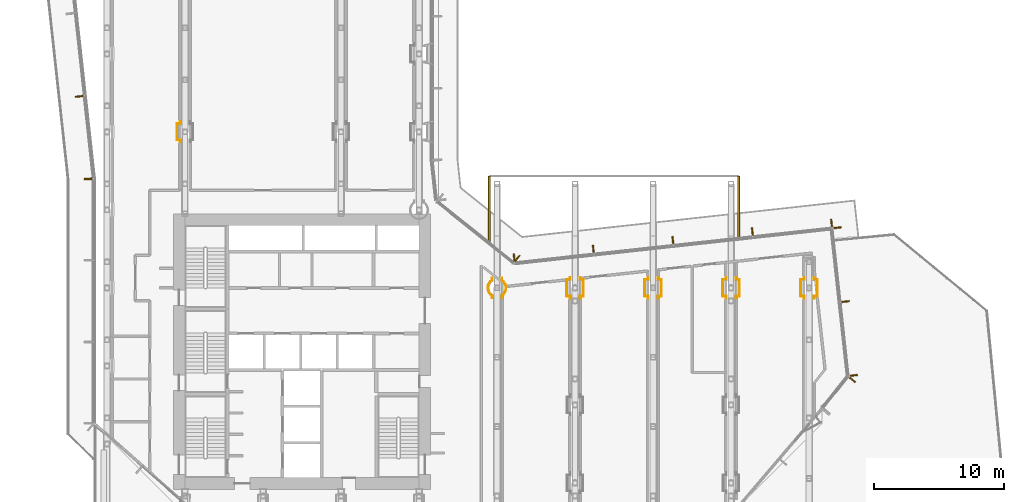
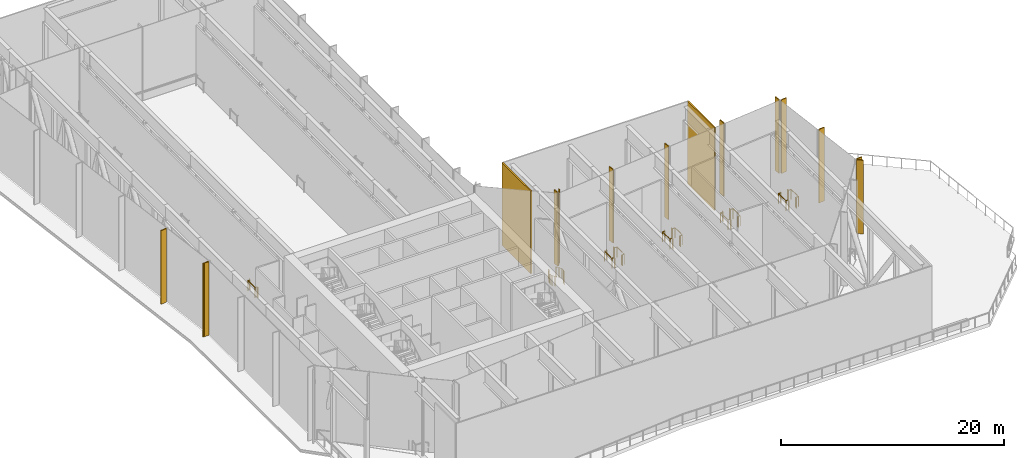
# One storey, part 22 of 25: 15 coverings, 11 railings.
"""IFC4 building model written with IfcOpenShell, lengths in metres."""

from ifc_helpers import new_model, si_unit, direction, frame, origin, origin_2d, place, context, subcontext, project, spatial, polyline, rectangle, circle, outline, extrude, material, layer, layer_set, type_object, element, save


model = new_model("IFC4")

# Units and contexts
model_context = context("Model", 3, precision=1e-05, world=origin(), true_north=direction((0.0, 1.0)))
body_context = subcontext(model_context, "Body", "Model", "MODEL_VIEW")
ifc_project = project(units=[si_unit("LENGTHUNIT", "METRE"), si_unit("AREAUNIT", "SQUARE_METRE"), si_unit("VOLUMEUNIT", "CUBIC_METRE"), si_unit("PLANEANGLEUNIT", "RADIAN"), si_unit("MASSUNIT", "GRAM", prefix="KILO")], contexts=[model_context])

# Site, building, storey
site_placement = place(None, origin())
site = spatial("IfcSite", under=ifc_project, at=site_placement, CompositionType="ELEMENT")
building_placement = place(site_placement, origin())
building = spatial("IfcBuilding", under=site, at=building_placement, Name="Welwitschia Terrace Campus", CompositionType="ELEMENT")
storey_placement = place(building_placement, frame((0.0, 0.0, 79.39990234375)))
storey = spatial("IfcBuildingStorey", under=building, at=storey_placement, Name="L18", CompositionType="ELEMENT", Elevation=79.39990234375)

# Coverings
ifc_material_1 = material(Name="Bronze anodised aluminium", Category="aluminium")
ifc_layer_1 = layer(ifc_material_1, 0.10009765625)
ifc_layer_set_1 = layer_set([ifc_layer_1], Name="Bronze anodised aluminium")
covering_type_1 = type_object("IfcCoveringType", Name="Bronze fin 100x600", PredefinedType="USERDEFINED", material=ifc_layer_set_1)
for number, where, z_axis, x_axis, name in (
    (1, (-2.12548828125, 34.72705078125, 0.0), (0.0, 0.0, 1.0), (0.108866874852, -0.994056338222, 0.0), "Fin L18.3.4"),
    (2, (-1.430908203125, 28.384521484375, 0.0), (0.0, 0.0, 1.0), (0.108866874852, -0.994056338222, 0.0), "Fin L18.3.5"),
    (3, (-1.429931640625, 28.365966796875, 0.0), (0.0, 0.0, 1.0), (0.0, -1.0, 0.0), "Fin L18.4.0"),
    (4, (57.327392578125, 12.936767578125, 0.0), (0.0, 0.0, 1.0), (0.625923472184, 0.779884483093, 0.0), "Fin L18.10.1"),
    (5, (57.42431640625, 13.269287109375, 0.0), (0.0, 0.0, 1.0), (-0.108866874852, 0.994056338222, 0.0), "Fin L18.11.0"),
    (6, (56.802490234375, 18.94775390625, 0.0), (0.0, 0.0, 1.0), (-0.108866874852, 0.994056338222, 0.0), "Fin L18.11.1"),
    (7, (56.1806640625, 24.626220703125, 0.0), (0.0, 0.0, 1.0), (-0.108866874852, 0.994056338222, 0.0), "Fin L18.11.2"),
    (8, (55.728515625, 24.989013671875, 0.0), (0.0, 0.0, 1.0), (-0.994056338222, -0.108866874852, 0.0), "Fin L18.12.0"),
    (9, (49.64111328125, 24.322509765625, 0.0), (0.0, 0.0, 1.0), (-0.994056338222, -0.108866874852, 0.0), "Fin L18.12.1"),
    (10, (43.523681640625, 23.652587890625, 0.0), (0.0, 0.0, 1.0), (-0.994056338222, -0.108866874852, 0.0), "Fin L18.12.2"),
    (11, (37.406494140625, 22.982421875, 0.0), (0.0, 0.0, 1.0), (-0.994056338222, -0.108866874852, 0.0), "Fin L18.12.3"),
    (12, (31.319091796875, 22.31591796875, 0.0), (0.0, 0.0, 1.0), (-0.994056338222, -0.108866874852, 0.0), "Fin L18.12.4"),
    (13, (31.545166015625, 22.25, 0.0), (0.0, 0.0, 1.0), (-0.779884483093, 0.625923472184, 0.0), "Fin L18.13.0"),
):
    element("IfcCovering", number, at=place(storey_placement, frame(where, z_axis=z_axis, x_axis=x_axis)), inside=storey, type_object=covering_type_1, Name=name, ObjectType="FIN", PredefinedType="USERDEFINED", context=body_context, shape_type="SweptSolid", body=[
        extrude(rectangle(XDim=0.10009765625, YDim=0.60009765625, at=origin_2d()), origin(), (0.0, 0.0, 1.0), 8.050048828125),
    ])

# Railings
ifc_material_2 = material(Name="Stainless steel grade 316", Category="steel")
railing_type = type_object("IfcRailingType", Name="Guard 1100", PredefinedType="GUARDRAIL", material=ifc_material_2)
railing_1_placement = place(storey_placement, frame((53.6201171875, 20.804931640625, 0.0)))
element("IfcRailing", 14, at=railing_1_placement, inside=storey, type_object=railing_type, Name="Guard floor edge L18.1", PredefinedType="GUARDRAIL", context=body_context, shape_type="SweptSolid", body=[
    extrude(circle(Radius=0.02392578125, at=origin_2d()), frame((0.0, 0.0, 1.076171875), z_axis=(0.0, -1.0, 0.0), x_axis=(1.0, 0.0, 0.0)), (0.0, 0.0, 1.0), 0.159912109375),
    extrude(circle(Radius=0.02392578125, at=origin_2d()), frame((0.0, -0.159912109375, 1.076171875), z_axis=(-1.0, 0.0, 0.0), x_axis=(0.0, -1.0, 0.0)), (0.0, 0.0, 1.0), 0.26513671875),
    extrude(circle(Radius=0.02392578125, at=origin_2d()), frame((-0.26513671875, -0.159912109375, 1.076171875), z_axis=(0.0, -1.0, 0.0), x_axis=(1.0, 0.0, 0.0)), (0.0, 0.0, 1.0), 1.2900390625),
    extrude(circle(Radius=0.02392578125, at=origin_2d()), frame((-0.26513671875, -1.449951171875, 1.076171875), z_axis=(1.0, 0.0, 0.0), x_axis=(0.0, 1.0, 0.0)), (0.0, 0.0, 1.0), 0.26513671875),
    extrude(circle(Radius=0.02392578125, at=origin_2d()), frame((0.0, -1.449951171875, 1.076171875), z_axis=(0.0, -1.0, 0.0), x_axis=(1.0, 0.0, 0.0)), (0.0, 0.0, 1.0), 0.159912109375),
    extrude(circle(Radius=0.02099609375, at=origin_2d()), origin(), (0.0, 0.0, 1.0), 1.052001953125),
    extrude(circle(Radius=0.02099609375, at=origin_2d()), frame((0.0, -0.159912109375, 0.0)), (0.0, 0.0, 1.0), 1.052001953125),
    extrude(circle(Radius=0.02099609375, at=origin_2d()), frame((-0.26513671875, -0.159912109375, 0.0)), (0.0, 0.0, 1.0), 1.052001953125),
    extrude(circle(Radius=0.02099609375, at=origin_2d()), frame((-0.26513671875, -1.449951171875, 0.0)), (0.0, 0.0, 1.0), 1.052001953125),
    extrude(circle(Radius=0.02099609375, at=origin_2d()), frame((0.0, -1.449951171875, 0.0)), (0.0, 0.0, 1.0), 1.052001953125),
    extrude(circle(Radius=0.02099609375, at=origin_2d()), frame((0.0, -1.60986328125, 0.0)), (0.0, 0.0, 1.0), 1.052001953125),
])
for number, where, name in (
    (15, (54.3798828125, 19.195068359375, 0.0), "Guard floor edge L18.2"),
    (16, (48.3798828125, 19.195068359375, 0.0), "Guard floor edge L18.3"),
):
    element("IfcRailing", number, at=place(storey_placement, frame(where)), inside=storey, type_object=railing_type, Name=name, PredefinedType="GUARDRAIL", context=body_context, shape_type="SweptSolid", body=[
        extrude(circle(Radius=0.02392578125, at=origin_2d()), frame((0.0, 0.0, 1.076171875), z_axis=(0.0, 1.0, 0.0), x_axis=(-1.0, 0.0, 0.0)), (0.0, 0.0, 1.0), 0.159912109375),
        extrude(circle(Radius=0.02392578125, at=origin_2d()), frame((0.0, 0.159912109375, 1.076171875), z_axis=(1.0, 0.0, 0.0), x_axis=(0.0, 1.0, 0.0)), (0.0, 0.0, 1.0), 0.26513671875),
        extrude(circle(Radius=0.02392578125, at=origin_2d()), frame((0.26513671875, 0.159912109375, 1.076171875), z_axis=(0.0, 1.0, 0.0), x_axis=(-1.0, 0.0, 0.0)), (0.0, 0.0, 1.0), 1.2900390625),
        extrude(circle(Radius=0.02392578125, at=origin_2d()), frame((0.26513671875, 1.449951171875, 1.076171875), z_axis=(-1.0, 0.0, 0.0), x_axis=(0.0, -1.0, 0.0)), (0.0, 0.0, 1.0), 0.26513671875),
        extrude(circle(Radius=0.02392578125, at=origin_2d()), frame((0.0, 1.449951171875, 1.076171875), z_axis=(0.0, 1.0, 0.0), x_axis=(-1.0, 0.0, 0.0)), (0.0, 0.0, 1.0), 0.159912109375),
        extrude(circle(Radius=0.02099609375, at=origin_2d()), origin(), (0.0, 0.0, 1.0), 1.052001953125),
        extrude(circle(Radius=0.02099609375, at=origin_2d()), frame((0.0, 0.159912109375, 0.0)), (0.0, 0.0, 1.0), 1.052001953125),
        extrude(circle(Radius=0.02099609375, at=origin_2d()), frame((0.26513671875, 0.159912109375, 0.0)), (0.0, 0.0, 1.0), 1.052001953125),
        extrude(circle(Radius=0.02099609375, at=origin_2d()), frame((0.26513671875, 1.449951171875, 0.0)), (0.0, 0.0, 1.0), 1.052001953125),
        extrude(circle(Radius=0.02099609375, at=origin_2d()), frame((0.0, 1.449951171875, 0.0)), (0.0, 0.0, 1.0), 1.052001953125),
        extrude(circle(Radius=0.02099609375, at=origin_2d()), frame((0.0, 1.60986328125, 0.0)), (0.0, 0.0, 1.0), 1.052001953125),
    ])
railing_2_placement = place(storey_placement, frame((47.6201171875, 20.804931640625, 0.0)))
element("IfcRailing", 17, at=railing_2_placement, inside=storey, type_object=railing_type, Name="Guard floor edge L18.6", PredefinedType="GUARDRAIL", context=body_context, shape_type="SweptSolid", body=[
    extrude(circle(Radius=0.02392578125, at=origin_2d()), frame((0.0, 0.0, 1.076171875), z_axis=(0.0, -1.0, 0.0), x_axis=(1.0, 0.0, 0.0)), (0.0, 0.0, 1.0), 0.159912109375),
    extrude(circle(Radius=0.02392578125, at=origin_2d()), frame((0.0, -0.159912109375, 1.076171875), z_axis=(-1.0, 0.0, 0.0), x_axis=(0.0, -1.0, 0.0)), (0.0, 0.0, 1.0), 0.26513671875),
    extrude(circle(Radius=0.02392578125, at=origin_2d()), frame((-0.26513671875, -0.159912109375, 1.076171875), z_axis=(0.0, -1.0, 0.0), x_axis=(1.0, 0.0, 0.0)), (0.0, 0.0, 1.0), 1.2900390625),
    extrude(circle(Radius=0.02392578125, at=origin_2d()), frame((-0.26513671875, -1.449951171875, 1.076171875), z_axis=(1.0, 0.0, 0.0), x_axis=(0.0, 1.0, 0.0)), (0.0, 0.0, 1.0), 0.26513671875),
    extrude(circle(Radius=0.02392578125, at=origin_2d()), frame((0.0, -1.449951171875, 1.076171875), z_axis=(0.0, -1.0, 0.0), x_axis=(1.0, 0.0, 0.0)), (0.0, 0.0, 1.0), 0.159912109375),
    extrude(circle(Radius=0.02099609375, at=origin_2d()), origin(), (0.0, 0.0, 1.0), 1.052001953125),
    extrude(circle(Radius=0.02099609375, at=origin_2d()), frame((0.0, -0.159912109375, 0.0)), (0.0, 0.0, 1.0), 1.052001953125),
    extrude(circle(Radius=0.02099609375, at=origin_2d()), frame((-0.26513671875, -0.159912109375, 0.0)), (0.0, 0.0, 1.0), 1.052001953125),
    extrude(circle(Radius=0.02099609375, at=origin_2d()), frame((-0.26513671875, -1.449951171875, 0.0)), (0.0, 0.0, 1.0), 1.052001953125),
    extrude(circle(Radius=0.02099609375, at=origin_2d()), frame((0.0, -1.449951171875, 0.0)), (0.0, 0.0, 1.0), 1.052001953125),
    extrude(circle(Radius=0.02099609375, at=origin_2d()), frame((0.0, -1.60986328125, 0.0)), (0.0, 0.0, 1.0), 1.052001953125),
])
railing_3_placement = place(storey_placement, frame((42.3798828125, 19.195068359375, 0.0)))
element("IfcRailing", 18, at=railing_3_placement, inside=storey, type_object=railing_type, Name="Guard floor edge L18.9", PredefinedType="GUARDRAIL", context=body_context, shape_type="SweptSolid", body=[
    extrude(circle(Radius=0.02392578125, at=origin_2d()), frame((0.0, 0.0, 1.076171875), z_axis=(0.0, 1.0, 0.0), x_axis=(-1.0, 0.0, 0.0)), (0.0, 0.0, 1.0), 0.159912109375),
    extrude(circle(Radius=0.02392578125, at=origin_2d()), frame((0.0, 0.159912109375, 1.076171875), z_axis=(1.0, 0.0, 0.0), x_axis=(0.0, 1.0, 0.0)), (0.0, 0.0, 1.0), 0.26513671875),
    extrude(circle(Radius=0.02392578125, at=origin_2d()), frame((0.26513671875, 0.159912109375, 1.076171875), z_axis=(0.0, 1.0, 0.0), x_axis=(-1.0, 0.0, 0.0)), (0.0, 0.0, 1.0), 1.2900390625),
    extrude(circle(Radius=0.02392578125, at=origin_2d()), frame((0.26513671875, 1.449951171875, 1.076171875), z_axis=(-1.0, 0.0, 0.0), x_axis=(0.0, -1.0, 0.0)), (0.0, 0.0, 1.0), 0.26513671875),
    extrude(circle(Radius=0.02392578125, at=origin_2d()), frame((0.0, 1.449951171875, 1.076171875), z_axis=(0.0, 1.0, 0.0), x_axis=(-1.0, 0.0, 0.0)), (0.0, 0.0, 1.0), 0.159912109375),
    extrude(circle(Radius=0.02099609375, at=origin_2d()), origin(), (0.0, 0.0, 1.0), 1.052001953125),
    extrude(circle(Radius=0.02099609375, at=origin_2d()), frame((0.0, 0.159912109375, 0.0)), (0.0, 0.0, 1.0), 1.052001953125),
    extrude(circle(Radius=0.02099609375, at=origin_2d()), frame((0.26513671875, 0.159912109375, 0.0)), (0.0, 0.0, 1.0), 1.052001953125),
    extrude(circle(Radius=0.02099609375, at=origin_2d()), frame((0.26513671875, 1.449951171875, 0.0)), (0.0, 0.0, 1.0), 1.052001953125),
    extrude(circle(Radius=0.02099609375, at=origin_2d()), frame((0.0, 1.449951171875, 0.0)), (0.0, 0.0, 1.0), 1.052001953125),
    extrude(circle(Radius=0.02099609375, at=origin_2d()), frame((0.0, 1.60986328125, 0.0)), (0.0, 0.0, 1.0), 1.052001953125),
])
railing_4_placement = place(storey_placement, frame((41.6201171875, 20.804931640625, 0.0)))
element("IfcRailing", 19, at=railing_4_placement, inside=storey, type_object=railing_type, Name="Guard floor edge L18.10", PredefinedType="GUARDRAIL", context=body_context, shape_type="SweptSolid", body=[
    extrude(circle(Radius=0.02392578125, at=origin_2d()), frame((0.0, 0.0, 1.076171875), z_axis=(0.0, -1.0, 0.0), x_axis=(1.0, 0.0, 0.0)), (0.0, 0.0, 1.0), 0.159912109375),
    extrude(circle(Radius=0.02392578125, at=origin_2d()), frame((0.0, -0.159912109375, 1.076171875), z_axis=(-1.0, 0.0, 0.0), x_axis=(0.0, -1.0, 0.0)), (0.0, 0.0, 1.0), 0.26513671875),
    extrude(circle(Radius=0.02392578125, at=origin_2d()), frame((-0.26513671875, -0.159912109375, 1.076171875), z_axis=(0.0, -1.0, 0.0), x_axis=(1.0, 0.0, 0.0)), (0.0, 0.0, 1.0), 1.2900390625),
    extrude(circle(Radius=0.02392578125, at=origin_2d()), frame((-0.26513671875, -1.449951171875, 1.076171875), z_axis=(1.0, 0.0, 0.0), x_axis=(0.0, 1.0, 0.0)), (0.0, 0.0, 1.0), 0.26513671875),
    extrude(circle(Radius=0.02392578125, at=origin_2d()), frame((0.0, -1.449951171875, 1.076171875), z_axis=(0.0, -1.0, 0.0), x_axis=(1.0, 0.0, 0.0)), (0.0, 0.0, 1.0), 0.159912109375),
    extrude(circle(Radius=0.02099609375, at=origin_2d()), origin(), (0.0, 0.0, 1.0), 1.052001953125),
    extrude(circle(Radius=0.02099609375, at=origin_2d()), frame((0.0, -0.159912109375, 0.0)), (0.0, 0.0, 1.0), 1.052001953125),
    extrude(circle(Radius=0.02099609375, at=origin_2d()), frame((-0.26513671875, -0.159912109375, 0.0)), (0.0, 0.0, 1.0), 1.052001953125),
    extrude(circle(Radius=0.02099609375, at=origin_2d()), frame((-0.26513671875, -1.449951171875, 0.0)), (0.0, 0.0, 1.0), 1.052001953125),
    extrude(circle(Radius=0.02099609375, at=origin_2d()), frame((0.0, -1.449951171875, 0.0)), (0.0, 0.0, 1.0), 1.052001953125),
    extrude(circle(Radius=0.02099609375, at=origin_2d()), frame((0.0, -1.60986328125, 0.0)), (0.0, 0.0, 1.0), 1.052001953125),
])
railing_5_placement = place(storey_placement, frame((36.3798828125, 19.195068359375, 0.0)))
element("IfcRailing", 20, at=railing_5_placement, inside=storey, type_object=railing_type, Name="Guard floor edge L18.11", PredefinedType="GUARDRAIL", context=body_context, shape_type="SweptSolid", body=[
    extrude(circle(Radius=0.02392578125, at=origin_2d()), frame((0.0, 0.0, 1.076171875), z_axis=(0.0, 1.0, 0.0), x_axis=(-1.0, 0.0, 0.0)), (0.0, 0.0, 1.0), 0.159912109375),
    extrude(circle(Radius=0.02392578125, at=origin_2d()), frame((0.0, 0.159912109375, 1.076171875), z_axis=(1.0, 0.0, 0.0), x_axis=(0.0, 1.0, 0.0)), (0.0, 0.0, 1.0), 0.26513671875),
    extrude(circle(Radius=0.02392578125, at=origin_2d()), frame((0.26513671875, 0.159912109375, 1.076171875), z_axis=(0.0, 1.0, 0.0), x_axis=(-1.0, 0.0, 0.0)), (0.0, 0.0, 1.0), 1.2900390625),
    extrude(circle(Radius=0.02392578125, at=origin_2d()), frame((0.26513671875, 1.449951171875, 1.076171875), z_axis=(-1.0, 0.0, 0.0), x_axis=(0.0, -1.0, 0.0)), (0.0, 0.0, 1.0), 0.26513671875),
    extrude(circle(Radius=0.02392578125, at=origin_2d()), frame((0.0, 1.449951171875, 1.076171875), z_axis=(0.0, 1.0, 0.0), x_axis=(-1.0, 0.0, 0.0)), (0.0, 0.0, 1.0), 0.159912109375),
    extrude(circle(Radius=0.02099609375, at=origin_2d()), origin(), (0.0, 0.0, 1.0), 1.052001953125),
    extrude(circle(Radius=0.02099609375, at=origin_2d()), frame((0.0, 0.159912109375, 0.0)), (0.0, 0.0, 1.0), 1.052001953125),
    extrude(circle(Radius=0.02099609375, at=origin_2d()), frame((0.26513671875, 0.159912109375, 0.0)), (0.0, 0.0, 1.0), 1.052001953125),
    extrude(circle(Radius=0.02099609375, at=origin_2d()), frame((0.26513671875, 1.449951171875, 0.0)), (0.0, 0.0, 1.0), 1.052001953125),
    extrude(circle(Radius=0.02099609375, at=origin_2d()), frame((0.0, 1.449951171875, 0.0)), (0.0, 0.0, 1.0), 1.052001953125),
    extrude(circle(Radius=0.02099609375, at=origin_2d()), frame((0.0, 1.60986328125, 0.0)), (0.0, 0.0, 1.0), 1.052001953125),
])
railing_6_placement = place(storey_placement, frame((35.6201171875, 20.804931640625, 0.0)))
element("IfcRailing", 21, at=railing_6_placement, inside=storey, type_object=railing_type, Name="Guard floor edge L18.14", PredefinedType="GUARDRAIL", context=body_context, shape_type="SweptSolid", body=[
    extrude(circle(Radius=0.02392578125, at=origin_2d()), frame((0.0, 0.0, 1.076171875), z_axis=(0.0, -1.0, 0.0), x_axis=(1.0, 0.0, 0.0)), (0.0, 0.0, 1.0), 0.159912109375),
    extrude(circle(Radius=0.02392578125, at=origin_2d()), frame((0.0, -0.159912109375, 1.076171875), z_axis=(-1.0, 0.0, 0.0), x_axis=(0.0, -1.0, 0.0)), (0.0, 0.0, 1.0), 0.26513671875),
    extrude(circle(Radius=0.02392578125, at=origin_2d()), frame((-0.26513671875, -0.159912109375, 1.076171875), z_axis=(0.0, -1.0, 0.0), x_axis=(1.0, 0.0, 0.0)), (0.0, 0.0, 1.0), 1.2900390625),
    extrude(circle(Radius=0.02392578125, at=origin_2d()), frame((-0.26513671875, -1.449951171875, 1.076171875), z_axis=(1.0, 0.0, 0.0), x_axis=(0.0, 1.0, 0.0)), (0.0, 0.0, 1.0), 0.26513671875),
    extrude(circle(Radius=0.02392578125, at=origin_2d()), frame((0.0, -1.449951171875, 1.076171875), z_axis=(0.0, -1.0, 0.0), x_axis=(1.0, 0.0, 0.0)), (0.0, 0.0, 1.0), 0.159912109375),
    extrude(circle(Radius=0.02099609375, at=origin_2d()), origin(), (0.0, 0.0, 1.0), 1.052001953125),
    extrude(circle(Radius=0.02099609375, at=origin_2d()), frame((0.0, -0.159912109375, 0.0)), (0.0, 0.0, 1.0), 1.052001953125),
    extrude(circle(Radius=0.02099609375, at=origin_2d()), frame((-0.26513671875, -0.159912109375, 0.0)), (0.0, 0.0, 1.0), 1.052001953125),
    extrude(circle(Radius=0.02099609375, at=origin_2d()), frame((-0.26513671875, -1.449951171875, 0.0)), (0.0, 0.0, 1.0), 1.052001953125),
    extrude(circle(Radius=0.02099609375, at=origin_2d()), frame((0.0, -1.449951171875, 0.0)), (0.0, 0.0, 1.0), 1.052001953125),
    extrude(circle(Radius=0.02099609375, at=origin_2d()), frame((0.0, -1.60986328125, 0.0)), (0.0, 0.0, 1.0), 1.052001953125),
])
railing_7_placement = place(storey_placement, frame((30.3798828125, 19.23681640625, 0.0)))
element("IfcRailing", 22, at=railing_7_placement, inside=storey, type_object=railing_type, Name="Guard floor edge L18.17", PredefinedType="GUARDRAIL", context=body_context, shape_type="SweptSolid", body=[
    extrude(circle(Radius=0.02392578125, at=origin_2d()), frame((0.0, 0.0, 1.076171875), z_axis=(0.0, 1.0, 0.0), x_axis=(-1.0, 0.0, 0.0)), (0.0, 0.0, 1.0), 0.181396484375),
    extrude(circle(Radius=0.02392578125, at=origin_2d()), frame((0.0, 0.181396484375, 1.076171875), z_axis=(0.887754531449, 0.460317164455, 0.0), x_axis=(-0.460317164455, 0.887754531449, 0.0)), (0.0, 0.0, 1.0), 0.00732421875),
    extrude(circle(Radius=0.02392578125, at=origin_2d()), frame((0.006591796875, 0.184814453125, 1.076171875), z_axis=(0.77187853694, 0.635770024625, 0.0), x_axis=(-0.635770024625, 0.77187853694, 0.0)), (0.0, 0.0, 1.0), 0.13623046875),
    extrude(circle(Radius=0.02392578125, at=origin_2d()), frame((0.11181640625, 0.271484375, 1.076171875), z_axis=(0.635770024625, 0.77187853694, 0.0), x_axis=(-0.77187853694, 0.635770024625, 0.0)), (0.0, 0.0, 1.0), 0.13623046875),
    extrude(circle(Radius=0.02392578125, at=origin_2d()), frame((0.198486328125, 0.376708984375, 1.076171875), z_axis=(0.470681121721, 0.882303395469, 0.0), x_axis=(-0.882303395469, 0.470681121721, 0.0)), (0.0, 0.0, 1.0), 0.136474609375),
    extrude(circle(Radius=0.02392578125, at=origin_2d()), frame((0.2626953125, 0.4970703125, 1.076171875), z_axis=(0.290305798508, 0.956933928415, 0.0), x_axis=(-0.956933928415, 0.290305798508, 0.0)), (0.0, 0.0, 1.0), 0.13623046875),
    extrude(circle(Radius=0.02392578125, at=origin_2d()), frame((0.30224609375, 0.62744140625, 1.076171875), z_axis=(0.098440399571, 0.995142948391, 0.0), x_axis=(-0.995142948391, 0.098440399571, 0.0)), (0.0, 0.0, 1.0), 0.136474609375),
    extrude(circle(Radius=0.02392578125, at=origin_2d()), frame((0.315673828125, 0.76318359375, 1.076171875), z_axis=(-0.098440399571, 0.995142948391, 0.0), x_axis=(-0.995142948391, -0.098440399571, 0.0)), (0.0, 0.0, 1.0), 0.136474609375),
    extrude(circle(Radius=0.02392578125, at=origin_2d()), frame((0.30224609375, 0.89892578125, 1.076171875), z_axis=(-0.290305798508, 0.956933928415, 0.0), x_axis=(-0.956933928415, -0.290305798508, 0.0)), (0.0, 0.0, 1.0), 0.13623046875),
    extrude(circle(Radius=0.02392578125, at=origin_2d()), frame((0.2626953125, 1.029296875, 1.076171875), z_axis=(-0.470681121721, 0.882303395469, 0.0), x_axis=(-0.882303395469, -0.470681121721, 0.0)), (0.0, 0.0, 1.0), 0.136474609375),
    extrude(circle(Radius=0.02392578125, at=origin_2d()), frame((0.198486328125, 1.149658203125, 1.076171875), z_axis=(-0.635770024625, 0.77187853694, 0.0), x_axis=(-0.77187853694, -0.635770024625, 0.0)), (0.0, 0.0, 1.0), 0.13623046875),
    extrude(circle(Radius=0.02392578125, at=origin_2d()), frame((0.11181640625, 1.2548828125, 1.076171875), z_axis=(-0.77187853694, 0.635770024625, 0.0), x_axis=(-0.635770024625, -0.77187853694, 0.0)), (0.0, 0.0, 1.0), 0.13623046875),
    extrude(circle(Radius=0.02392578125, at=origin_2d()), frame((0.006591796875, 1.341552734375, 1.076171875), z_axis=(-0.887754531449, 0.460317164455, 0.0), x_axis=(-0.460317164455, -0.887754531449, 0.0)), (0.0, 0.0, 1.0), 0.00732421875),
    extrude(circle(Radius=0.02392578125, at=origin_2d()), frame((0.0, 1.344970703125, 1.076171875), z_axis=(0.0, 1.0, 0.0), x_axis=(-1.0, 0.0, 0.0)), (0.0, 0.0, 1.0), 0.181396484375),
    extrude(circle(Radius=0.02099609375, at=origin_2d()), origin(), (0.0, 0.0, 1.0), 1.052001953125),
    extrude(circle(Radius=0.02099609375, at=origin_2d()), frame((0.0, 0.181396484375, 0.0)), (0.0, 0.0, 1.0), 1.052001953125),
    extrude(circle(Radius=0.02099609375, at=origin_2d()), frame((0.006591796875, 0.184814453125, 0.0)), (0.0, 0.0, 1.0), 1.052001953125),
    extrude(circle(Radius=0.02099609375, at=origin_2d()), frame((0.11181640625, 0.271484375, 0.0)), (0.0, 0.0, 1.0), 1.052001953125),
    extrude(circle(Radius=0.02099609375, at=origin_2d()), frame((0.198486328125, 0.376708984375, 0.0)), (0.0, 0.0, 1.0), 1.052001953125),
    extrude(circle(Radius=0.02099609375, at=origin_2d()), frame((0.2626953125, 0.4970703125, 0.0)), (0.0, 0.0, 1.0), 1.052001953125),
    extrude(circle(Radius=0.02099609375, at=origin_2d()), frame((0.30224609375, 0.62744140625, 0.0)), (0.0, 0.0, 1.0), 1.052001953125),
    extrude(circle(Radius=0.02099609375, at=origin_2d()), frame((0.315673828125, 0.76318359375, 0.0)), (0.0, 0.0, 1.0), 1.052001953125),
    extrude(circle(Radius=0.02099609375, at=origin_2d()), frame((0.30224609375, 0.89892578125, 0.0)), (0.0, 0.0, 1.0), 1.052001953125),
    extrude(circle(Radius=0.02099609375, at=origin_2d()), frame((0.2626953125, 1.029296875, 0.0)), (0.0, 0.0, 1.0), 1.052001953125),
    extrude(circle(Radius=0.02099609375, at=origin_2d()), frame((0.198486328125, 1.149658203125, 0.0)), (0.0, 0.0, 1.0), 1.052001953125),
    extrude(circle(Radius=0.02099609375, at=origin_2d()), frame((0.11181640625, 1.2548828125, 0.0)), (0.0, 0.0, 1.0), 1.052001953125),
    extrude(circle(Radius=0.02099609375, at=origin_2d()), frame((0.006591796875, 1.341552734375, 0.0)), (0.0, 0.0, 1.0), 1.052001953125),
    extrude(circle(Radius=0.02099609375, at=origin_2d()), frame((0.0, 1.344970703125, 0.0)), (0.0, 0.0, 1.0), 1.052001953125),
    extrude(circle(Radius=0.02099609375, at=origin_2d()), frame((0.0, 1.5263671875, 0.0)), (0.0, 0.0, 1.0), 1.052001953125),
])
railing_8_placement = place(storey_placement, frame((29.6201171875, 20.76318359375, 0.0)))
element("IfcRailing", 23, at=railing_8_placement, inside=storey, type_object=railing_type, Name="Guard floor edge L18.18", PredefinedType="GUARDRAIL", context=body_context, shape_type="SweptSolid", body=[
    extrude(circle(Radius=0.02392578125, at=origin_2d()), frame((0.0, 0.0, 1.076171875), z_axis=(0.0, -1.0, 0.0), x_axis=(1.0, 0.0, 0.0)), (0.0, 0.0, 1.0), 0.181396484375),
    extrude(circle(Radius=0.02392578125, at=origin_2d()), frame((0.0, -0.181396484375, 1.076171875), z_axis=(-0.887754531449, -0.460317164455, 0.0), x_axis=(0.460317164455, -0.887754531449, 0.0)), (0.0, 0.0, 1.0), 0.00732421875),
    extrude(circle(Radius=0.02392578125, at=origin_2d()), frame((-0.006591796875, -0.184814453125, 1.076171875), z_axis=(-0.77187853694, -0.635770024625, 0.0), x_axis=(0.635770024625, -0.77187853694, 0.0)), (0.0, 0.0, 1.0), 0.13623046875),
    extrude(circle(Radius=0.02392578125, at=origin_2d()), frame((-0.11181640625, -0.271484375, 1.076171875), z_axis=(-0.635770024625, -0.77187853694, 0.0), x_axis=(0.77187853694, -0.635770024625, 0.0)), (0.0, 0.0, 1.0), 0.13623046875),
    extrude(circle(Radius=0.02392578125, at=origin_2d()), frame((-0.198486328125, -0.376708984375, 1.076171875), z_axis=(-0.470681121721, -0.882303395469, 0.0), x_axis=(0.882303395469, -0.470681121721, 0.0)), (0.0, 0.0, 1.0), 0.136474609375),
    extrude(circle(Radius=0.02392578125, at=origin_2d()), frame((-0.2626953125, -0.4970703125, 1.076171875), z_axis=(-0.290305798508, -0.956933928415, 0.0), x_axis=(0.956933928415, -0.290305798508, 0.0)), (0.0, 0.0, 1.0), 0.13623046875),
    extrude(circle(Radius=0.02392578125, at=origin_2d()), frame((-0.30224609375, -0.62744140625, 1.076171875), z_axis=(-0.098440399571, -0.995142948391, 0.0), x_axis=(0.995142948391, -0.098440399571, 0.0)), (0.0, 0.0, 1.0), 0.136474609375),
    extrude(circle(Radius=0.02392578125, at=origin_2d()), frame((-0.315673828125, -0.76318359375, 1.076171875), z_axis=(0.098440399571, -0.995142948391, 0.0), x_axis=(0.995142948391, 0.098440399571, 0.0)), (0.0, 0.0, 1.0), 0.136474609375),
    extrude(circle(Radius=0.02392578125, at=origin_2d()), frame((-0.30224609375, -0.89892578125, 1.076171875), z_axis=(0.290305798508, -0.956933928415, 0.0), x_axis=(0.956933928415, 0.290305798508, 0.0)), (0.0, 0.0, 1.0), 0.13623046875),
    extrude(circle(Radius=0.02392578125, at=origin_2d()), frame((-0.2626953125, -1.029296875, 1.076171875), z_axis=(0.470681121721, -0.882303395469, 0.0), x_axis=(0.882303395469, 0.470681121721, 0.0)), (0.0, 0.0, 1.0), 0.136474609375),
    extrude(circle(Radius=0.02392578125, at=origin_2d()), frame((-0.198486328125, -1.149658203125, 1.076171875), z_axis=(0.635770024625, -0.77187853694, 0.0), x_axis=(0.77187853694, 0.635770024625, 0.0)), (0.0, 0.0, 1.0), 0.13623046875),
    extrude(circle(Radius=0.02392578125, at=origin_2d()), frame((-0.11181640625, -1.2548828125, 1.076171875), z_axis=(0.77187853694, -0.635770024625, 0.0), x_axis=(0.635770024625, 0.77187853694, 0.0)), (0.0, 0.0, 1.0), 0.13623046875),
    extrude(circle(Radius=0.02392578125, at=origin_2d()), frame((-0.006591796875, -1.341552734375, 1.076171875), z_axis=(0.887754531449, -0.460317164455, 0.0), x_axis=(0.460317164455, 0.887754531449, 0.0)), (0.0, 0.0, 1.0), 0.00732421875),
    extrude(circle(Radius=0.02392578125, at=origin_2d()), frame((0.0, -1.344970703125, 1.076171875), z_axis=(0.0, -1.0, 0.0), x_axis=(1.0, 0.0, 0.0)), (0.0, 0.0, 1.0), 0.181396484375),
    extrude(circle(Radius=0.02099609375, at=origin_2d()), origin(), (0.0, 0.0, 1.0), 1.052001953125),
    extrude(circle(Radius=0.02099609375, at=origin_2d()), frame((0.0, -0.181396484375, 0.0)), (0.0, 0.0, 1.0), 1.052001953125),
    extrude(circle(Radius=0.02099609375, at=origin_2d()), frame((-0.006591796875, -0.184814453125, 0.0)), (0.0, 0.0, 1.0), 1.052001953125),
    extrude(circle(Radius=0.02099609375, at=origin_2d()), frame((-0.11181640625, -0.271484375, 0.0)), (0.0, 0.0, 1.0), 1.052001953125),
    extrude(circle(Radius=0.02099609375, at=origin_2d()), frame((-0.198486328125, -0.376708984375, 0.0)), (0.0, 0.0, 1.0), 1.052001953125),
    extrude(circle(Radius=0.02099609375, at=origin_2d()), frame((-0.2626953125, -0.4970703125, 0.0)), (0.0, 0.0, 1.0), 1.052001953125),
    extrude(circle(Radius=0.02099609375, at=origin_2d()), frame((-0.30224609375, -0.62744140625, 0.0)), (0.0, 0.0, 1.0), 1.052001953125),
    extrude(circle(Radius=0.02099609375, at=origin_2d()), frame((-0.315673828125, -0.76318359375, 0.0)), (0.0, 0.0, 1.0), 1.052001953125),
    extrude(circle(Radius=0.02099609375, at=origin_2d()), frame((-0.30224609375, -0.89892578125, 0.0)), (0.0, 0.0, 1.0), 1.052001953125),
    extrude(circle(Radius=0.02099609375, at=origin_2d()), frame((-0.2626953125, -1.029296875, 0.0)), (0.0, 0.0, 1.0), 1.052001953125),
    extrude(circle(Radius=0.02099609375, at=origin_2d()), frame((-0.198486328125, -1.149658203125, 0.0)), (0.0, 0.0, 1.0), 1.052001953125),
    extrude(circle(Radius=0.02099609375, at=origin_2d()), frame((-0.11181640625, -1.2548828125, 0.0)), (0.0, 0.0, 1.0), 1.052001953125),
    extrude(circle(Radius=0.02099609375, at=origin_2d()), frame((-0.006591796875, -1.341552734375, 0.0)), (0.0, 0.0, 1.0), 1.052001953125),
    extrude(circle(Radius=0.02099609375, at=origin_2d()), frame((0.0, -1.344970703125, 0.0)), (0.0, 0.0, 1.0), 1.052001953125),
    extrude(circle(Radius=0.02099609375, at=origin_2d()), frame((0.0, -1.5263671875, 0.0)), (0.0, 0.0, 1.0), 1.052001953125),
])
railing_9_placement = place(storey_placement, frame((5.6201171875, 32.780029296875, 0.0)))
element("IfcRailing", 24, at=railing_9_placement, inside=storey, type_object=railing_type, Name="Guard floor edge L18.45", PredefinedType="GUARDRAIL", context=body_context, shape_type="SweptSolid", body=[
    extrude(circle(Radius=0.02392578125, at=origin_2d()), frame((0.0, 0.0, 1.076171875), z_axis=(0.0, -1.0, 0.0), x_axis=(1.0, 0.0, 0.0)), (0.0, 0.0, 1.0), 0.159912109375),
    extrude(circle(Radius=0.02392578125, at=origin_2d()), frame((0.0, -0.159912109375, 1.076171875), z_axis=(-1.0, 0.0, 0.0), x_axis=(0.0, -1.0, 0.0)), (0.0, 0.0, 1.0), 0.240234375),
    extrude(circle(Radius=0.02392578125, at=origin_2d()), frame((-0.240234375, -0.159912109375, 1.076171875), z_axis=(0.0, -1.0, 0.0), x_axis=(1.0, 0.0, 0.0)), (0.0, 0.0, 1.0), 1.240234375),
    extrude(circle(Radius=0.02392578125, at=origin_2d()), frame((-0.240234375, -1.400146484375, 1.076171875), z_axis=(1.0, 0.0, 0.0), x_axis=(0.0, 1.0, 0.0)), (0.0, 0.0, 1.0), 0.240234375),
    extrude(circle(Radius=0.02392578125, at=origin_2d()), frame((0.0, -1.400146484375, 1.076171875), z_axis=(0.0, -1.0, 0.0), x_axis=(1.0, 0.0, 0.0)), (0.0, 0.0, 1.0), 0.159912109375),
    extrude(circle(Radius=0.02099609375, at=origin_2d()), origin(), (0.0, 0.0, 1.0), 1.052001953125),
    extrude(circle(Radius=0.02099609375, at=origin_2d()), frame((0.0, -0.159912109375, 0.0)), (0.0, 0.0, 1.0), 1.052001953125),
    extrude(circle(Radius=0.02099609375, at=origin_2d()), frame((-0.240234375, -0.159912109375, 0.0)), (0.0, 0.0, 1.0), 1.052001953125),
    extrude(circle(Radius=0.02099609375, at=origin_2d()), frame((-0.240234375, -1.400146484375, 0.0)), (0.0, 0.0, 1.0), 1.052001953125),
    extrude(circle(Radius=0.02099609375, at=origin_2d()), frame((0.0, -1.400146484375, 0.0)), (0.0, 0.0, 1.0), 1.052001953125),
    extrude(circle(Radius=0.02099609375, at=origin_2d()), frame((0.0, -1.56005859375, 0.0)), (0.0, 0.0, 1.0), 1.052001953125),
])

# Coverings
ifc_material_3 = material(Name="Bronze anodised aluminium", Category="aluminium")
ifc_layer_2 = layer(ifc_material_3, 0.139892578125)
ifc_layer_set_2 = layer_set([ifc_layer_2], Name="Bronze anodised aluminium")
covering_type_2 = type_object("IfcCoveringType", Name="Soffit fascia cladding 140", PredefinedType="CLADDING", material=ifc_layer_set_2)
covering_1_placement = place(storey_placement, frame((0.0, 0.0, -1.0)))
element("IfcCovering", 25, at=covering_1_placement, inside=storey, type_object=covering_type_2, Name="Clad fascia L18.tip fascia Nt1 w", PredefinedType="CLADDING", context=body_context, shape_type="SweptSolid", body=[
    extrude(outline(polyline([(29.330078125, 28.60009765625), (29.330078125, 23.446044921875), (29.469970703125, 23.446044921875), (29.469970703125, 28.60009765625), (29.330078125, 28.60009765625)])), origin(), (0.0, 0.0, 1.0), 9.050048828125),
])
covering_2_placement = place(storey_placement, frame((0.0, 0.0, -1.0)))
element("IfcCovering", 26, at=covering_2_placement, inside=storey, type_object=covering_type_2, Name="Clad fascia L18.tip fascia Nt1 e", PredefinedType="CLADDING", context=body_context, shape_type="SweptSolid", body=[
    extrude(outline(polyline([(48.530029296875, 28.60009765625), (48.530029296875, 23.7958984375), (48.669921875, 23.7958984375), (48.669921875, 28.60009765625), (48.530029296875, 28.60009765625)])), origin(), (0.0, 0.0, 1.0), 9.050048828125),
])

save(model, "model.ifc")
